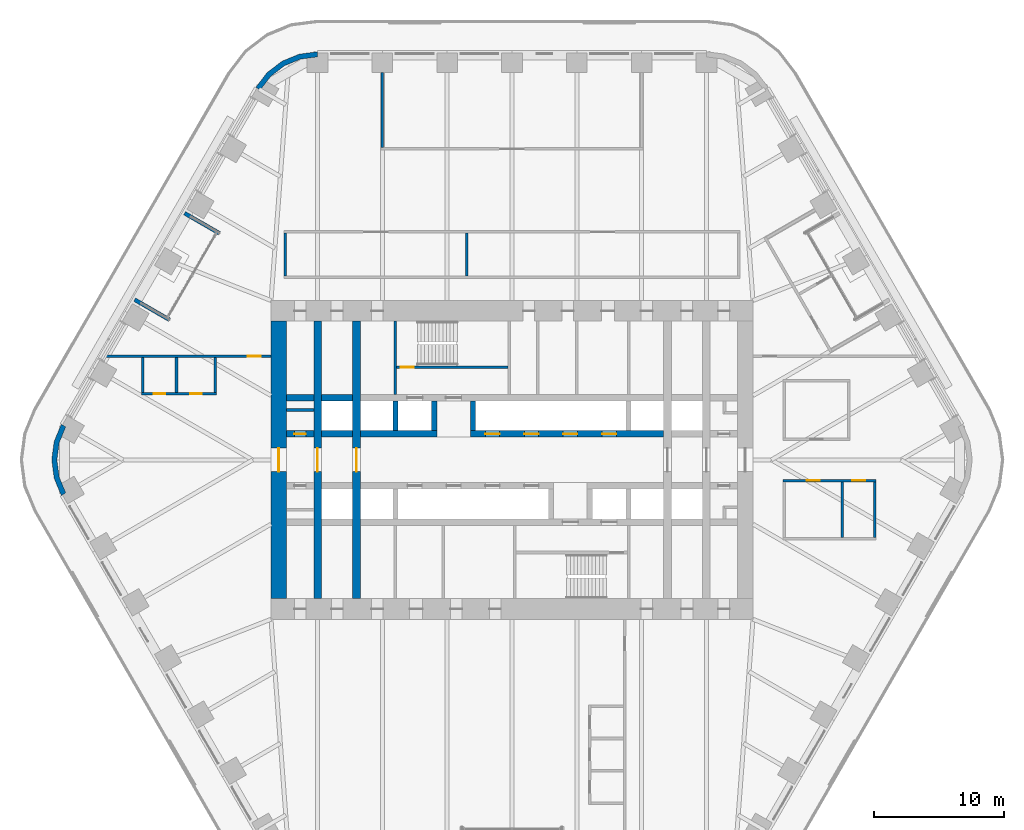
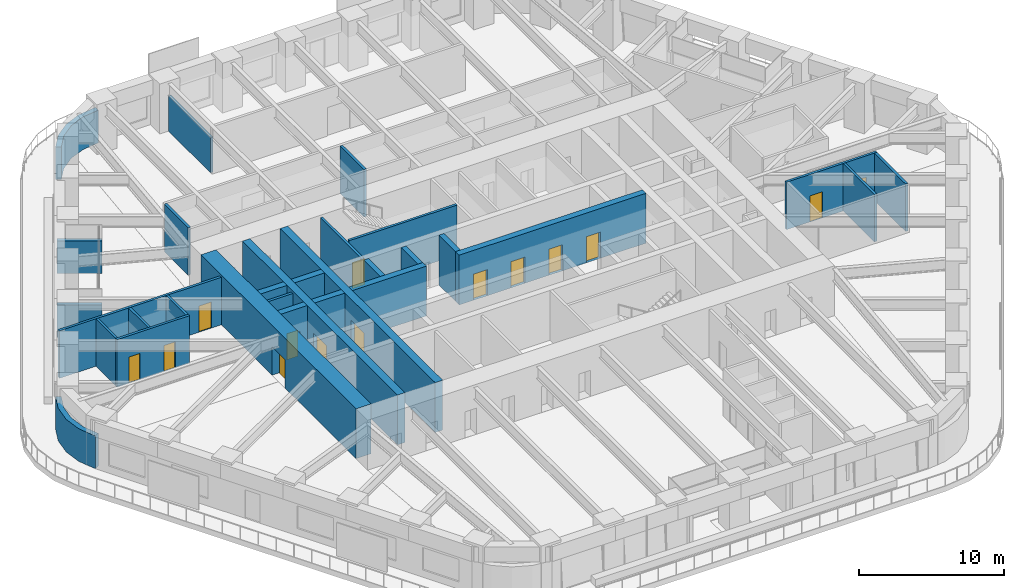
# One storey, part 19 of 24: 30 walls, 14 doors, 14 openings.
"""IFC4 building model written with IfcOpenShell, lengths in metres."""

from ifc_helpers import new_model, si_unit, direction, frame, frame_2d, origin, place, context, subcontext, project, spatial, polyline, rectangle, outline, extrude, material, layer, layer_set, type_object, element, fill, save


model = new_model("IFC4")

# Units and contexts
model_context = context("Model", 3, precision=1e-05, world=origin(), true_north=direction((0.0, 1.0)))
body_context = subcontext(model_context, "Body", "Model", "MODEL_VIEW")
ifc_project = project(units=[si_unit("LENGTHUNIT", "METRE"), si_unit("AREAUNIT", "SQUARE_METRE"), si_unit("VOLUMEUNIT", "CUBIC_METRE"), si_unit("PLANEANGLEUNIT", "RADIAN"), si_unit("MASSUNIT", "GRAM", prefix="KILO")], contexts=[model_context])

# Site, building, storey
site_placement = place(None, origin())
site = spatial("IfcSite", under=ifc_project, at=site_placement, CompositionType="ELEMENT")
building_placement = place(site_placement, origin())
building = spatial("IfcBuilding", under=site, at=building_placement, Name="Tarfa Lantern Tower", CompositionType="ELEMENT")
storey_placement = place(building_placement, frame((0.0, 0.0, 144.699951171875)))
storey = spatial("IfcBuildingStorey", under=building, at=storey_placement, Name="L32", CompositionType="ELEMENT", Elevation=144.699951171875)

# Walls
ifc_material_1 = material(Name="Limestone cladding on blockwork", Category="masonry")
ifc_layer_1 = layer(ifc_material_1, 0.300048828125)
ifc_layer_set_1 = layer_set([ifc_layer_1], Name="EW1 STONE-CLAD WALL 300")
wall_type_1 = type_object("IfcWallType", Name="EW1 STONE-CLAD WALL 300", PredefinedType="SOLIDWALL", material=ifc_layer_set_1)
wall_1_placement = place(storey_placement, frame((-25.266357421875, 19.037353515625, 0.0), z_axis=(0.0, 0.0, 1.0), x_axis=(0.86600983753, -0.500026960575, 0.0)))
element("IfcWall", 1, at=wall_1_placement, inside=storey, type_object=wall_type_1, Name="Loggia return NW 1", PredefinedType="SOLIDWALL", context=body_context, shape_type="SweptSolid", body=[
    extrude(rectangle(XDim=3.099853515625, YDim=0.300048828125, at=frame_2d((1.5498046875, 0.0))), origin(), (0.0, 0.0, 1.0), 2.75),
])
wall_2_placement = place(storey_placement, frame((-29.1201171875, 12.362548828125, 0.0), z_axis=(0.0, 0.0, 1.0), x_axis=(0.86602952684, -0.49999285859, 0.0)))
element("IfcWall", 2, at=wall_2_placement, inside=storey, type_object=wall_type_1, Name="Loggia return NW 2", PredefinedType="SOLIDWALL", context=body_context, shape_type="SweptSolid", body=[
    extrude(rectangle(XDim=3.10009765625, YDim=0.300048828125, at=frame_2d((1.550048828125, 0.0))), origin(), (0.0, 0.0, 1.0), 2.75),
])
ifc_layer_2 = layer(ifc_material_1, 0.39990234375)
ifc_layer_set_2 = layer_set([ifc_layer_2], Name="EW2 CURVED STONE CORNER 400")
wall_type_2 = type_object("IfcWallType", Name="EW2 CURVED STONE CORNER 400", PredefinedType="SOLIDWALL", material=ifc_layer_set_2)
wall_3_placement = place(storey_placement, origin())
element("IfcWall", 3, at=wall_3_placement, inside=storey, type_object=wall_type_2, Name="Stone corner N-NW", PredefinedType="SOLIDWALL", context=body_context, shape_type="SweptSolid", body=[
    extrude(outline(polyline([(-15.010986328125, 31.5), (-16.4345703125, 31.3125), (-17.760986328125, 30.76318359375), (-18.900146484375, 29.88916015625), (-19.774169921875, 28.75), (-19.427734375, 28.550048828125), (-18.617431640625, 29.606201171875), (-17.56103515625, 30.416748046875), (-16.3310546875, 30.92626953125), (-15.010986328125, 31.10009765625), (-15.010986328125, 31.5)])), origin(), (0.0, 0.0, 1.0), 2.75),
])
wall_4_placement = place(storey_placement, origin())
element("IfcWall", 4, at=wall_4_placement, inside=storey, type_object=wall_type_2, Name="Stone corner NW-SW", PredefinedType="SOLIDWALL", context=body_context, shape_type="SweptSolid", body=[
    extrude(outline(polyline([(-34.785400390625, 2.75), (-35.334716796875, 1.423583984375), (-35.522216796875, 0.0), (-35.334716796875, -1.423583984375), (-34.785400390625, -2.75), (-34.43896484375, -2.550048828125), (-34.948486328125, -1.320068359375), (-35.122314453125, 0.0), (-34.948486328125, 1.320068359375), (-34.43896484375, 2.550048828125), (-34.785400390625, 2.75)])), origin(), (0.0, 0.0, 1.0), 2.75),
])
ifc_material_2 = material(Name="Concrete blockwork", Category="masonry")
ifc_layer_3 = layer(ifc_material_2, 0.199951171875)
ifc_layer_set_3 = layer_set([ifc_layer_3], Name="IW1 BLOCKWORK PARTITION 200 EI 120")
wall_type_3 = type_object("IfcWallType", Name="IW1 BLOCKWORK PARTITION 200 EI 120", PredefinedType="PARTITIONING", material=ifc_layer_set_3)
wall_5_placement = place(storey_placement, frame((-9.0, 5.050048828125, 0.0), z_axis=(0.0, 0.0, 1.0), x_axis=(0.0, 1.0, 0.0)))
element("IfcWall", 5, at=wall_5_placement, inside=storey, type_object=wall_type_3, Name="Core partition", PredefinedType="PARTITIONING", context=body_context, shape_type="SweptSolid", body=[
    extrude(rectangle(XDim=5.64990234375, YDim=0.199951171875, at=frame_2d((2.824951171875, 0.0))), origin(), (0.0, 0.0, 1.0), 4.0),
])
wall_6_placement = place(storey_placement, frame((-17.39990234375, 3.85009765625, 0.0), z_axis=(0.0, 0.0, 1.0), x_axis=(1.0, 0.0, 0.0)))
element("IfcWall", 6, at=wall_6_placement, inside=storey, type_object=wall_type_3, Name="Core partition", PredefinedType="PARTITIONING", context=body_context, shape_type="SweptSolid", body=[
    extrude(rectangle(XDim=2.099853515625, YDim=0.199951171875, at=frame_2d((1.0498046875, 0.0))), origin(), (0.0, 0.0, 1.0), 4.0),
])
ifc_material_3 = material(Name="Gypsum board on steel studs", Category="steel")
ifc_layer_4 = layer(ifc_material_3, 0.2099609375)
ifc_layer_set_4 = layer_set([ifc_layer_4], Name="IW2 ACOUSTIC PARTITION 200")
wall_type_4 = type_object("IfcWallType", Name="IW2 ACOUSTIC PARTITION 200", PredefinedType="PARTITIONING", material=ifc_layer_set_4)
for number, where, z_axis, x_axis, name in (
    (7, (-17.5, 14.199951171875, 0.0), (0.0, 0.0, 1.0), (0.0, 1.0, 0.0), "Partition"),
    (8, (-3.5, 14.199951171875, 0.0), (0.0, 0.0, 1.0), (0.0, 1.0, 0.0), "Partition"),
):
    element("IfcWall", number, at=place(storey_placement, frame(where, z_axis=z_axis, x_axis=x_axis)), inside=storey, type_object=wall_type_4, Name=name, PredefinedType="PARTITIONING", context=body_context, shape_type="SweptSolid", body=[
        extrude(rectangle(XDim=3.300048828125, YDim=0.199951171875, at=frame_2d((1.64990234375, 0.0))), origin(), (0.0, 0.0, 1.0), 4.0),
    ])
wall_7_placement = place(storey_placement, frame((-10.00732421875, 24.10009765625, 0.0), z_axis=(0.0, 0.0, 1.0), x_axis=(0.0, 1.0, 0.0)))
element("IfcWall", 9, at=wall_7_placement, inside=storey, type_object=wall_type_4, Name="Partition", PredefinedType="PARTITIONING", context=body_context, shape_type="SweptSolid", body=[
    extrude(rectangle(XDim=5.7998046875, YDim=0.199951171875, at=frame_2d((2.89990234375, 0.0))), origin(), (0.0, 0.0, 1.0), 2.991943359375),
])

# Wall, openings, doors
wall_8_placement = place(storey_placement, frame((20.89990234375, -1.60009765625, 0.0), z_axis=(0.0, 0.0, 1.0), x_axis=(1.0, 0.0, 0.0)))
wall_8 = element("IfcWall", 10, at=wall_8_placement, inside=storey, type_object=wall_type_4, Name="Partition", PredefinedType="PARTITIONING", context=body_context, shape_type="SweptSolid", body=[
    extrude(rectangle(XDim=7.2001953125, YDim=0.199951171875, at=frame_2d((3.60009765625, 0.0))), origin(), (0.0, 0.0, 1.0), 4.0),
])
opening_1_placement = place(wall_8_placement, frame((1.85009765625, 0.0, 0.0)))
opening_1 = element("IfcOpeningElement", 11, at=opening_1_placement, cuts=wall_8, Name="Opening D34", PredefinedType="OPENING", context=body_context, shape_type="SweptSolid", body=[
    extrude(rectangle(XDim=1.0, YDim=2.199951171875, at=frame_2d((0.5, 1.10009765625))), frame((0.0, 0.10986328125, 0.0), z_axis=(0.0, -1.0, 0.0), x_axis=(1.0, 0.0, 0.0)), (0.0, 0.0, 1.0), 0.219970703125),
])
opening_2_placement = place(wall_8_placement, frame((5.35009765625, 0.0, 0.0)))
opening_2 = element("IfcOpeningElement", 12, at=opening_2_placement, cuts=wall_8, Name="Opening D35", PredefinedType="OPENING", context=body_context, shape_type="SweptSolid", body=[
    extrude(rectangle(XDim=1.0, YDim=2.199951171875, at=frame_2d((0.5, 1.10009765625))), frame((0.0, 0.10986328125, 0.0), z_axis=(0.0, -1.0, 0.0), x_axis=(1.0, 0.0, 0.0)), (0.0, 0.0, 1.0), 0.219970703125),
])
ifc_material_4 = material(Name="Timber door", Category="wood")
door_type_1 = type_object("IfcDoorType", Name="DR1 ROOM DOOR 1000x2200", OperationType="SINGLE_SWING_LEFT", PredefinedType="DOOR", material=ifc_material_4)
door_1_placement = place(opening_1_placement, frame((1.0, 0.0, 0.0), z_axis=(0.0, 0.0, 1.0), x_axis=(-1.0, 0.0, 0.0)))
door_1 = element("IfcDoor", 13, at=door_1_placement, inside=storey, type_object=door_type_1, Name="Pantry door", OperationType="SINGLE_SWING_LEFT", OverallHeight=2.199951171875, OverallWidth=1.0, PredefinedType="DOOR", context=body_context, shape_type="SweptSolid", body=[
    extrude(rectangle(XDim=1.0, YDim=2.199951171875, at=frame_2d((0.5, 1.10009765625))), frame((0.0, 0.02490234375, 0.0), z_axis=(0.0, -1.0, 0.0), x_axis=(1.0, 0.0, 0.0)), (0.0, 0.0, 1.0), 0.050048828125),
])
fill(opening_1, door_1)
door_2_placement = place(opening_2_placement, frame((1.0, 0.0, 0.0), z_axis=(0.0, 0.0, 1.0), x_axis=(-1.0, 0.0, 0.0)))
door_2 = element("IfcDoor", 14, at=door_2_placement, inside=storey, type_object=door_type_1, Name="Print room door", OperationType="SINGLE_SWING_RIGHT", OverallHeight=2.199951171875, OverallWidth=1.0, PredefinedType="DOOR", context=body_context, shape_type="SweptSolid", body=[
    extrude(rectangle(XDim=1.0, YDim=2.199951171875, at=frame_2d((0.5, 1.10009765625))), frame((0.0, 0.02490234375, 0.0), z_axis=(0.0, -1.0, 0.0), x_axis=(1.0, 0.0, 0.0)), (0.0, 0.0, 1.0), 0.050048828125),
])
fill(opening_2, door_2)

# Walls
for number, where, z_axis, x_axis, name in (
    (15, (25.5, -1.699951171875, 0.0), (0.0, 0.0, 1.0), (0.0, -1.0, 0.0), "Partition"),
    (16, (28.0, -1.699951171875, 0.0), (0.0, 0.0, 1.0), (0.0, -1.0, 0.0), "Partition"),
):
    element("IfcWall", number, at=place(storey_placement, frame(where, z_axis=z_axis, x_axis=x_axis)), inside=storey, type_object=wall_type_4, Name=name, PredefinedType="PARTITIONING", context=body_context, shape_type="SweptSolid", body=[
        extrude(rectangle(XDim=4.300048828125, YDim=0.199951171875, at=frame_2d((2.14990234375, 0.0))), origin(), (0.0, 0.0, 1.0), 4.0),
    ])

# Wall, opening, door
wall_9_placement = place(storey_placement, frame((-18.60009765625, 8.0, 0.0), z_axis=(0.0, 0.0, 1.0), x_axis=(-1.0, 0.0, 0.0)))
wall_9 = element("IfcWall", 17, at=wall_9_placement, inside=storey, type_object=wall_type_4, Name="Partition", PredefinedType="PARTITIONING", context=body_context, shape_type="SweptSolid", body=[
    extrude(rectangle(XDim=12.89990234375, YDim=0.199951171875, at=frame_2d((6.449951171875, 0.0))), origin(), (0.0, 0.0, 1.0), 4.0),
])
opening_3_placement = place(wall_9_placement, frame((0.7900390625, 0.0, 0.0)))
opening_3 = element("IfcOpeningElement", 18, at=opening_3_placement, cuts=wall_9, Name="Opening D48", PredefinedType="OPENING", context=body_context, shape_type="SweptSolid", body=[
    extrude(rectangle(XDim=1.0, YDim=2.199951171875, at=frame_2d((0.5, 1.10009765625))), frame((0.0, 0.10986328125, 0.0), z_axis=(0.0, -1.0, 0.0), x_axis=(1.0, 0.0, 0.0)), (0.0, 0.0, 1.0), 0.219970703125),
])
door_3_placement = place(opening_3_placement, frame((1.0, 0.0, 0.0), z_axis=(0.0, 0.0, 1.0), x_axis=(-1.0, 0.0, 0.0)))
door_3 = element("IfcDoor", 19, at=door_3_placement, inside=storey, type_object=door_type_1, Name="Zone door", OperationType="SINGLE_SWING_LEFT", OverallHeight=2.199951171875, OverallWidth=1.0, PredefinedType="DOOR", context=body_context, shape_type="SweptSolid", body=[
    extrude(rectangle(XDim=1.0, YDim=2.199951171875, at=frame_2d((0.5, 1.10009765625))), frame((0.0, 0.02490234375, 0.0), z_axis=(0.0, -1.0, 0.0), x_axis=(1.0, 0.0, 0.0)), (0.0, 0.0, 1.0), 0.050048828125),
])
fill(opening_3, door_3)

# Wall, openings, doors
wall_10_placement = place(storey_placement, frame((-22.795166015625, 5.10009765625, 0.0), z_axis=(0.0, 0.0, 1.0), x_axis=(-1.0, 0.0, 0.0)))
wall_10 = element("IfcWall", 20, at=wall_10_placement, inside=storey, type_object=wall_type_4, Name="Partition", PredefinedType="PARTITIONING", context=body_context, shape_type="SweptSolid", body=[
    extrude(rectangle(XDim=5.7998046875, YDim=0.199951171875, at=frame_2d((2.89990234375, 0.0))), origin(), (0.0, 0.0, 1.0), 4.0),
])
opening_4_placement = place(wall_10_placement, frame((1.14990234375, 0.0, 0.0)))
opening_4 = element("IfcOpeningElement", 21, at=opening_4_placement, cuts=wall_10, Name="Opening D41", PredefinedType="OPENING", context=body_context, shape_type="SweptSolid", body=[
    extrude(rectangle(XDim=0.89990234375, YDim=2.199951171875, at=frame_2d((0.449951171875, 1.10009765625))), frame((0.0, 0.10986328125, 0.0), z_axis=(0.0, -1.0, 0.0), x_axis=(1.0, 0.0, 0.0)), (0.0, 0.0, 1.0), 0.219970703125),
])
opening_5_placement = place(wall_10_placement, frame((3.949951171875, 0.0, 0.0)))
opening_5 = element("IfcOpeningElement", 22, at=opening_5_placement, cuts=wall_10, Name="Opening D42", PredefinedType="OPENING", context=body_context, shape_type="SweptSolid", body=[
    extrude(rectangle(XDim=0.89990234375, YDim=2.199951171875, at=frame_2d((0.449951171875, 1.10009765625))), frame((0.0, 0.10986328125, 0.0), z_axis=(0.0, -1.0, 0.0), x_axis=(1.0, 0.0, 0.0)), (0.0, 0.0, 1.0), 0.219970703125),
])
door_type_2 = type_object("IfcDoorType", Name="DR3 ROOM DOOR 900x2200", OperationType="SINGLE_SWING_LEFT", PredefinedType="DOOR", material=ifc_material_4)
door_4_placement = place(opening_4_placement, frame((0.89990234375, 0.0, 0.0), z_axis=(0.0, 0.0, 1.0), x_axis=(-1.0, 0.0, 0.0)))
door_4 = element("IfcDoor", 23, at=door_4_placement, inside=storey, type_object=door_type_2, Name="Wellness room door", OperationType="SINGLE_SWING_LEFT", OverallHeight=2.199951171875, OverallWidth=0.89990234375, PredefinedType="DOOR", context=body_context, shape_type="SweptSolid", body=[
    extrude(rectangle(XDim=0.89990234375, YDim=2.199951171875, at=frame_2d((0.449951171875, 1.10009765625))), frame((0.0, 0.02490234375, 0.0), z_axis=(0.0, -1.0, 0.0), x_axis=(1.0, 0.0, 0.0)), (0.0, 0.0, 1.0), 0.050048828125),
])
fill(opening_4, door_4)
door_5_placement = place(opening_5_placement, frame((0.89990234375, 0.0, 0.0), z_axis=(0.0, 0.0, 1.0), x_axis=(-1.0, 0.0, 0.0)))
door_5 = element("IfcDoor", 24, at=door_5_placement, inside=storey, type_object=door_type_2, Name="Quiet room door", OperationType="SINGLE_SWING_RIGHT", OverallHeight=2.199951171875, OverallWidth=0.89990234375, PredefinedType="DOOR", context=body_context, shape_type="SweptSolid", body=[
    extrude(rectangle(XDim=0.89990234375, YDim=2.199951171875, at=frame_2d((0.449951171875, 1.10009765625))), frame((0.0, 0.02490234375, 0.0), z_axis=(0.0, -1.0, 0.0), x_axis=(1.0, 0.0, 0.0)), (0.0, 0.0, 1.0), 0.050048828125),
])
fill(opening_5, door_5)

# Walls
for number, where, z_axis, x_axis, name in (
    (25, (-22.89501953125, 7.89990234375, 0.0), (0.0, 0.0, 1.0), (0.0, -1.0, 0.0), "Partition"),
    (26, (-25.89501953125, 7.89990234375, 0.0), (0.0, 0.0, 1.0), (0.0, -1.0, 0.0), "Partition"),
    (27, (-28.4951171875, 7.89990234375, 0.0), (0.0, 0.0, 1.0), (0.0, -1.0, 0.0), "Partition"),
):
    element("IfcWall", number, at=place(storey_placement, frame(where, z_axis=z_axis, x_axis=x_axis)), inside=storey, type_object=wall_type_4, Name=name, PredefinedType="PARTITIONING", context=body_context, shape_type="SweptSolid", body=[
        extrude(rectangle(XDim=2.699951171875, YDim=0.199951171875, at=frame_2d((1.35009765625, 0.0))), origin(), (0.0, 0.0, 1.0), 4.0),
    ])

# Wall, opening, door
ifc_material_5 = material(Name="Concrete C80/95", Category="concrete")
ifc_layer_5 = layer(ifc_material_5, 1.199951171875)
ifc_layer_set_5 = layer_set([ifc_layer_5], Name="SW1 CORE WALL 1200")
wall_type_5 = type_object("IfcWallType", Name="SW1 CORE WALL 1200", PredefinedType="SHEAR", material=ifc_layer_set_5)
wall_11_placement = place(storey_placement, frame((-18.0, 10.699951171875, 0.0), z_axis=(0.0, 0.0, 1.0), x_axis=(0.0, -1.0, 0.0)))
wall_11 = element("IfcWall", 28, at=wall_11_placement, inside=storey, type_object=wall_type_5, Name="Core wall W", PredefinedType="SHEAR", context=body_context, shape_type="SweptSolid", body=[
    extrude(rectangle(XDim=21.39990234375, YDim=1.199951171875, at=frame_2d((10.699951171875, 0.0))), origin(), (0.0, 0.0, 1.0), 4.199951171875),
])
opening_6_placement = place(wall_11_placement, frame((9.800048828125, 0.0, 0.0)))
opening_6 = element("IfcOpeningElement", 29, at=opening_6_placement, cuts=wall_11, Name="Opening D16", PredefinedType="OPENING", context=body_context, shape_type="SweptSolid", body=[
    extrude(rectangle(XDim=1.800048828125, YDim=2.39990234375, at=frame_2d((0.89990234375, 1.199951171875))), frame((0.0, 0.60986328125, 0.0), z_axis=(0.0, -1.0, 0.0), x_axis=(1.0, 0.0, 0.0)), (0.0, 0.0, 1.0), 1.219970703125),
])
ifc_material_6 = material(Name="Steel fire door", Category="steel")
door_type_3 = type_object("IfcDoorType", Name="DL1 LOBBY DOOR 1800x2400", OperationType="DOUBLE_DOOR_SINGLE_SWING", PredefinedType="DOOR", material=ifc_material_6)
door_6_placement = place(opening_6_placement, frame((1.800048828125, 0.0, 0.0), z_axis=(0.0, 0.0, 1.0), x_axis=(-1.0, 0.0, 0.0)))
door_6 = element("IfcDoor", 30, at=door_6_placement, inside=storey, type_object=door_type_3, Name="Lift lobby door", OperationType="DOUBLE_DOOR_SINGLE_SWING", OverallHeight=2.39990234375, OverallWidth=1.800048828125, PredefinedType="DOOR", context=body_context, shape_type="SweptSolid", body=[
    extrude(rectangle(XDim=1.800048828125, YDim=2.39990234375, at=frame_2d((0.89990234375, 1.199951171875))), frame((0.0, 0.02490234375, 0.0), z_axis=(0.0, -1.0, 0.0), x_axis=(1.0, 0.0, 0.0)), (0.0, 0.0, 1.0), 0.050048828125),
])
fill(opening_6, door_6)

ifc_layer_6 = layer(ifc_material_5, 0.199951171875)
ifc_layer_set_6 = layer_set([ifc_layer_6], Name="SW12 CORE WALL 200")
wall_type_6 = type_object("IfcWallType", Name="SW12 CORE WALL 200", PredefinedType="SHEAR", material=ifc_layer_set_6)
wall_12_placement = place(storey_placement, frame((-8.89990234375, 7.14990234375, 0.0), z_axis=(0.0, 0.0, 1.0), x_axis=(1.0, 0.0, 0.0)))
wall_12 = element("IfcWall", 31, at=wall_12_placement, inside=storey, type_object=wall_type_6, Name="Core wall stair partition N", PredefinedType="SHEAR", context=body_context, shape_type="SweptSolid", body=[
    extrude(rectangle(XDim=8.599853515625, YDim=0.199951171875, at=frame_2d((4.2998046875, 0.0))), origin(), (0.0, 0.0, 1.0), 4.199951171875),
])
opening_7_placement = place(wall_12_placement, frame((0.300048828125, 0.0, 0.0)))
opening_7 = element("IfcOpeningElement", 32, at=opening_7_placement, cuts=wall_12, Name="Opening D27", PredefinedType="OPENING", context=body_context, shape_type="SweptSolid", body=[
    extrude(rectangle(XDim=1.0, YDim=2.199951171875, at=frame_2d((0.5, 1.10009765625))), frame((0.0, 0.10986328125, 0.0), z_axis=(0.0, -1.0, 0.0), x_axis=(1.0, 0.0, 0.0)), (0.0, 0.0, 1.0), 0.219970703125),
])
door_type_4 = type_object("IfcDoorType", Name="DF2 STAIR DOOR 1000x2200", OperationType="SINGLE_SWING_LEFT", PredefinedType="DOOR", material=ifc_material_6)
door_7_placement = place(opening_7_placement, origin())
door_7 = element("IfcDoor", 33, at=door_7_placement, inside=storey, type_object=door_type_4, Name="Stair door", OperationType="SINGLE_SWING_RIGHT", OverallHeight=2.199951171875, OverallWidth=1.0, PredefinedType="DOOR", context=body_context, shape_type="SweptSolid", body=[
    extrude(rectangle(XDim=1.0, YDim=2.199951171875, at=frame_2d((0.5, 1.10009765625))), frame((0.0, 0.02490234375, 0.0), z_axis=(0.0, -1.0, 0.0), x_axis=(1.0, 0.0, 0.0)), (0.0, 0.0, 1.0), 0.050048828125),
])
fill(opening_7, door_7)

ifc_layer_7 = layer(ifc_material_5, 0.5)
ifc_layer_set_7 = layer_set([ifc_layer_7], Name="SW5 CORE WALL 500")
wall_type_7 = type_object("IfcWallType", Name="SW5 CORE WALL 500", PredefinedType="SHEAR", material=ifc_layer_set_7)
wall_13_placement = place(storey_placement, frame((-17.39990234375, 2.0, 0.0), z_axis=(0.0, 0.0, 1.0), x_axis=(1.0, 0.0, 0.0)))
wall_13 = element("IfcWall", 34, at=wall_13_placement, inside=storey, type_object=wall_type_7, Name="Core wall lobby west N", PredefinedType="SHEAR", context=body_context, shape_type="SweptSolid", body=[
    extrude(rectangle(XDim=2.099853515625, YDim=0.5, at=frame_2d((1.0498046875, 0.0))), origin(), (0.0, 0.0, 1.0), 4.199951171875),
])
opening_8_placement = place(wall_13_placement, frame((0.60009765625, 0.0, 0.0)))
opening_8 = element("IfcOpeningElement", 35, at=opening_8_placement, cuts=wall_13, Name="Opening D19", PredefinedType="OPENING", context=body_context, shape_type="SweptSolid", body=[
    extrude(rectangle(XDim=0.89990234375, YDim=2.199951171875, at=frame_2d((0.449951171875, 1.10009765625))), frame((0.0, 0.260009765625, 0.0), z_axis=(0.0, -1.0, 0.0), x_axis=(1.0, 0.0, 0.0)), (0.0, 0.0, 1.0), 0.52001953125),
])
door_type_5 = type_object("IfcDoorType", Name="DF6 SERVICE ROOM DOOR 900x2200", OperationType="SINGLE_SWING_LEFT", PredefinedType="DOOR", material=ifc_material_6)
door_8_placement = place(opening_8_placement, origin())
door_8 = element("IfcDoor", 36, at=door_8_placement, inside=storey, type_object=door_type_5, Name="Service room door", OperationType="SINGLE_SWING_LEFT", OverallHeight=2.199951171875, OverallWidth=0.89990234375, PredefinedType="DOOR", context=body_context, shape_type="SweptSolid", body=[
    extrude(rectangle(XDim=0.89990234375, YDim=2.199951171875, at=frame_2d((0.449951171875, 1.10009765625))), frame((0.0, 0.02490234375, 0.0), z_axis=(0.0, -1.0, 0.0), x_axis=(1.0, 0.0, 0.0)), (0.0, 0.0, 1.0), 0.050048828125),
])
fill(opening_8, door_8)

# Walls
wall_14_placement = place(storey_placement, frame((-14.699951171875, 2.0, 0.0), z_axis=(0.0, 0.0, 1.0), x_axis=(1.0, 0.0, 0.0)))
element("IfcWall", 37, at=wall_14_placement, inside=storey, type_object=wall_type_7, Name="Core wall lobby west N", PredefinedType="SHEAR", context=body_context, shape_type="SweptSolid", body=[
    extrude(rectangle(XDim=2.39990234375, YDim=0.5, at=frame_2d((1.199951171875, 0.0))), origin(), (0.0, 0.0, 1.0), 4.199951171875),
])
wall_15_placement = place(storey_placement, frame((-11.699951171875, 2.0, 0.0), z_axis=(0.0, 0.0, 1.0), x_axis=(1.0, 0.0, 0.0)))
element("IfcWall", 38, at=wall_15_placement, inside=storey, type_object=wall_type_7, Name="Core wall lobby west N", PredefinedType="SHEAR", context=body_context, shape_type="SweptSolid", body=[
    extrude(rectangle(XDim=5.89990234375, YDim=0.5, at=frame_2d((2.949951171875, 0.0))), origin(), (0.0, 0.0, 1.0), 4.199951171875),
])

# Wall, openings, doors
wall_16_placement = place(storey_placement, frame((-3.199951171875, 2.0, 0.0), z_axis=(0.0, 0.0, 1.0), x_axis=(1.0, 0.0, 0.0)))
wall_16 = element("IfcWall", 39, at=wall_16_placement, inside=storey, type_object=wall_type_7, Name="Core wall lobby east N", PredefinedType="SHEAR", context=body_context, shape_type="SweptSolid", body=[
    extrude(rectangle(XDim=14.89990234375, YDim=0.5, at=frame_2d((7.449951171875, 0.0))), origin(), (0.0, 0.0, 1.0), 4.199951171875),
])
opening_9_placement = place(wall_16_placement, frame((1.14990234375, 0.0, 0.0)))
opening_9 = element("IfcOpeningElement", 40, at=opening_9_placement, cuts=wall_16, Name="Opening LD03", PredefinedType="OPENING", context=body_context, shape_type="SweptSolid", body=[
    extrude(rectangle(XDim=1.10009765625, YDim=2.199951171875, at=frame_2d((0.550048828125, 1.10009765625))), frame((0.0, 0.260009765625, 0.0), z_axis=(0.0, -1.0, 0.0), x_axis=(1.0, 0.0, 0.0)), (0.0, 0.0, 1.0), 0.52001953125),
])
opening_10_placement = place(wall_16_placement, frame((4.14990234375, 0.0, 0.0)))
opening_10 = element("IfcOpeningElement", 41, at=opening_10_placement, cuts=wall_16, Name="Opening LD04", PredefinedType="OPENING", context=body_context, shape_type="SweptSolid", body=[
    extrude(rectangle(XDim=1.10009765625, YDim=2.199951171875, at=frame_2d((0.550048828125, 1.10009765625))), frame((0.0, 0.260009765625, 0.0), z_axis=(0.0, -1.0, 0.0), x_axis=(1.0, 0.0, 0.0)), (0.0, 0.0, 1.0), 0.52001953125),
])
opening_11_placement = place(wall_16_placement, frame((7.14990234375, 0.0, 0.0)))
opening_11 = element("IfcOpeningElement", 42, at=opening_11_placement, cuts=wall_16, Name="Opening LD05", PredefinedType="OPENING", context=body_context, shape_type="SweptSolid", body=[
    extrude(rectangle(XDim=1.10009765625, YDim=2.199951171875, at=frame_2d((0.550048828125, 1.10009765625))), frame((0.0, 0.260009765625, 0.0), z_axis=(0.0, -1.0, 0.0), x_axis=(1.0, 0.0, 0.0)), (0.0, 0.0, 1.0), 0.52001953125),
])
opening_12_placement = place(wall_16_placement, frame((10.14990234375, 0.0, 0.0)))
opening_12 = element("IfcOpeningElement", 43, at=opening_12_placement, cuts=wall_16, Name="Opening LD06", PredefinedType="OPENING", context=body_context, shape_type="SweptSolid", body=[
    extrude(rectangle(XDim=1.10009765625, YDim=2.199951171875, at=frame_2d((0.550048828125, 1.10009765625))), frame((0.0, 0.260009765625, 0.0), z_axis=(0.0, -1.0, 0.0), x_axis=(1.0, 0.0, 0.0)), (0.0, 0.0, 1.0), 0.52001953125),
])
ifc_material_7 = material(Name="Stainless steel lift door", Category="steel")
door_type_6 = type_object("IfcDoorType", Name="LD2 LIFT LANDING DOOR 1100x2200", OperationType="SLIDING_TO_LEFT", PredefinedType="DOOR", material=ifc_material_7)
door_9_placement = place(opening_9_placement, frame((1.10009765625, 0.0, 0.0), z_axis=(0.0, 0.0, 1.0), x_axis=(-1.0, 0.0, 0.0)))
door_9 = element("IfcDoor", 44, at=door_9_placement, inside=storey, type_object=door_type_6, Name="Landing door PB1", OperationType="SLIDING_TO_LEFT", OverallHeight=2.199951171875, OverallWidth=1.10009765625, PredefinedType="DOOR", context=body_context, shape_type="SweptSolid", body=[
    extrude(rectangle(XDim=1.10009765625, YDim=2.199951171875, at=frame_2d((0.550048828125, 1.10009765625))), frame((0.0, 0.02490234375, 0.0), z_axis=(0.0, -1.0, 0.0), x_axis=(1.0, 0.0, 0.0)), (0.0, 0.0, 1.0), 0.050048828125),
])
fill(opening_9, door_9)
door_10_placement = place(opening_10_placement, frame((1.10009765625, 0.0, 0.0), z_axis=(0.0, 0.0, 1.0), x_axis=(-1.0, 0.0, 0.0)))
door_10 = element("IfcDoor", 45, at=door_10_placement, inside=storey, type_object=door_type_6, Name="Landing door PB2", OperationType="SLIDING_TO_LEFT", OverallHeight=2.199951171875, OverallWidth=1.10009765625, PredefinedType="DOOR", context=body_context, shape_type="SweptSolid", body=[
    extrude(rectangle(XDim=1.10009765625, YDim=2.199951171875, at=frame_2d((0.550048828125, 1.10009765625))), frame((0.0, 0.02490234375, 0.0), z_axis=(0.0, -1.0, 0.0), x_axis=(1.0, 0.0, 0.0)), (0.0, 0.0, 1.0), 0.050048828125),
])
fill(opening_10, door_10)
door_11_placement = place(opening_11_placement, frame((1.10009765625, 0.0, 0.0), z_axis=(0.0, 0.0, 1.0), x_axis=(-1.0, 0.0, 0.0)))
door_11 = element("IfcDoor", 46, at=door_11_placement, inside=storey, type_object=door_type_6, Name="Landing door PB3", OperationType="SLIDING_TO_LEFT", OverallHeight=2.199951171875, OverallWidth=1.10009765625, PredefinedType="DOOR", context=body_context, shape_type="SweptSolid", body=[
    extrude(rectangle(XDim=1.10009765625, YDim=2.199951171875, at=frame_2d((0.550048828125, 1.10009765625))), frame((0.0, 0.02490234375, 0.0), z_axis=(0.0, -1.0, 0.0), x_axis=(1.0, 0.0, 0.0)), (0.0, 0.0, 1.0), 0.050048828125),
])
fill(opening_11, door_11)
door_12_placement = place(opening_12_placement, frame((1.10009765625, 0.0, 0.0), z_axis=(0.0, 0.0, 1.0), x_axis=(-1.0, 0.0, 0.0)))
door_12 = element("IfcDoor", 47, at=door_12_placement, inside=storey, type_object=door_type_6, Name="Landing door PB4", OperationType="SLIDING_TO_LEFT", OverallHeight=2.199951171875, OverallWidth=1.10009765625, PredefinedType="DOOR", context=body_context, shape_type="SweptSolid", body=[
    extrude(rectangle(XDim=1.10009765625, YDim=2.199951171875, at=frame_2d((0.550048828125, 1.10009765625))), frame((0.0, 0.02490234375, 0.0), z_axis=(0.0, -1.0, 0.0), x_axis=(1.0, 0.0, 0.0)), (0.0, 0.0, 1.0), 0.050048828125),
])
fill(opening_12, door_12)

# Walls
wall_17_placement = place(storey_placement, frame((-17.39990234375, 4.800048828125, 0.0), z_axis=(0.0, 0.0, 1.0), x_axis=(1.0, 0.0, 0.0)))
element("IfcWall", 48, at=wall_17_placement, inside=storey, type_object=wall_type_7, Name="Core wall rear N", PredefinedType="SHEAR", context=body_context, shape_type="SweptSolid", body=[
    extrude(rectangle(XDim=2.099853515625, YDim=0.5, at=frame_2d((1.0498046875, 0.0))), origin(), (0.0, 0.0, 1.0), 4.199951171875),
])
wall_18_placement = place(storey_placement, frame((-14.699951171875, 4.800048828125, 0.0), z_axis=(0.0, 0.0, 1.0), x_axis=(1.0, 0.0, 0.0)))
element("IfcWall", 49, at=wall_18_placement, inside=storey, type_object=wall_type_7, Name="Core wall rear N", PredefinedType="SHEAR", context=body_context, shape_type="SweptSolid", body=[
    extrude(rectangle(XDim=2.39990234375, YDim=0.5, at=frame_2d((1.199951171875, 0.0))), origin(), (0.0, 0.0, 1.0), 4.199951171875),
])
ifc_layer_8 = layer(ifc_material_5, 0.39990234375)
ifc_layer_set_8 = layer_set([ifc_layer_8], Name="SW6 CORE WALL 400")
wall_type_8 = type_object("IfcWallType", Name="SW6 CORE WALL 400", PredefinedType="SHEAR", material=ifc_layer_set_8)
for number, where, z_axis, x_axis, name in (
    (50, (-9.0, 2.25, 0.0), (0.0, 0.0, 1.0), (0.0, 1.0, 0.0), "Core wall divider N"),
    (51, (-6.0, 2.25, 0.0), (0.0, 0.0, 1.0), (0.0, 1.0, 0.0), "Core wall divider N"),
    (52, (-3.0, 2.25, 0.0), (0.0, 0.0, 1.0), (0.0, 1.0, 0.0), "Core wall divider N"),
):
    element("IfcWall", number, at=place(storey_placement, frame(where, z_axis=z_axis, x_axis=x_axis)), inside=storey, type_object=wall_type_8, Name=name, PredefinedType="SHEAR", context=body_context, shape_type="SweptSolid", body=[
        extrude(rectangle(XDim=2.300048828125, YDim=0.39990234375, at=frame_2d((1.14990234375, 0.0))), origin(), (0.0, 0.0, 1.0), 4.199951171875),
    ])

# Wall, opening, door
ifc_layer_9 = layer(ifc_material_5, 0.60009765625)
ifc_layer_set_9 = layer_set([ifc_layer_9], Name="SW9 CORE WALL 600")
wall_type_9 = type_object("IfcWallType", Name="SW9 CORE WALL 600", PredefinedType="SHEAR", material=ifc_layer_set_9)
wall_19_placement = place(storey_placement, frame((-12.0, -10.699951171875, 0.0), z_axis=(0.0, 0.0, 1.0), x_axis=(0.0, 1.0, 0.0)))
wall_19 = element("IfcWall", 53, at=wall_19_placement, inside=storey, type_object=wall_type_9, Name="Core wall cross 12 m west", PredefinedType="SHEAR", context=body_context, shape_type="SweptSolid", body=[
    extrude(rectangle(XDim=21.39990234375, YDim=0.60009765625, at=frame_2d((10.699951171875, 0.0))), origin(), (0.0, 0.0, 1.0), 4.199951171875),
])
opening_13_placement = place(wall_19_placement, frame((9.800048828125, 0.0, 0.0)))
opening_13 = element("IfcOpeningElement", 54, at=opening_13_placement, cuts=wall_19, Name="Opening D31", PredefinedType="OPENING", context=body_context, shape_type="SweptSolid", body=[
    extrude(rectangle(XDim=1.800048828125, YDim=2.39990234375, at=frame_2d((0.89990234375, 1.199951171875))), frame((0.0, 0.31005859375, 0.0), z_axis=(0.0, -1.0, 0.0), x_axis=(1.0, 0.0, 0.0)), (0.0, 0.0, 1.0), 0.6201171875),
])
door_13_placement = place(opening_13_placement, origin())
door_13 = element("IfcDoor", 55, at=door_13_placement, inside=storey, type_object=door_type_3, Name="Lift lobby door", OperationType="DOUBLE_DOOR_SINGLE_SWING", OverallHeight=2.39990234375, OverallWidth=1.800048828125, PredefinedType="DOOR", context=body_context, shape_type="SweptSolid", body=[
    extrude(rectangle(XDim=1.800048828125, YDim=2.39990234375, at=frame_2d((0.89990234375, 1.199951171875))), frame((0.0, 0.02490234375, 0.0), z_axis=(0.0, -1.0, 0.0), x_axis=(1.0, 0.0, 0.0)), (0.0, 0.0, 1.0), 0.050048828125),
])
fill(opening_13, door_13)

wall_20_placement = place(storey_placement, frame((-15.0, -10.699951171875, 0.0), z_axis=(0.0, 0.0, 1.0), x_axis=(0.0, 1.0, 0.0)))
wall_20 = element("IfcWall", 56, at=wall_20_placement, inside=storey, type_object=wall_type_9, Name="Core wall cross 15 m west", PredefinedType="SHEAR", context=body_context, shape_type="SweptSolid", body=[
    extrude(rectangle(XDim=21.39990234375, YDim=0.60009765625, at=frame_2d((10.699951171875, 0.0))), origin(), (0.0, 0.0, 1.0), 4.199951171875),
])
opening_14_placement = place(wall_20_placement, frame((9.800048828125, 0.0, 0.0)))
opening_14 = element("IfcOpeningElement", 57, at=opening_14_placement, cuts=wall_20, Name="Opening D32", PredefinedType="OPENING", context=body_context, shape_type="SweptSolid", body=[
    extrude(rectangle(XDim=1.800048828125, YDim=2.39990234375, at=frame_2d((0.89990234375, 1.199951171875))), frame((0.0, 0.31005859375, 0.0), z_axis=(0.0, -1.0, 0.0), x_axis=(1.0, 0.0, 0.0)), (0.0, 0.0, 1.0), 0.6201171875),
])
door_14_placement = place(opening_14_placement, origin())
door_14 = element("IfcDoor", 58, at=door_14_placement, inside=storey, type_object=door_type_3, Name="Lift lobby door", OperationType="DOUBLE_DOOR_SINGLE_SWING", OverallHeight=2.39990234375, OverallWidth=1.800048828125, PredefinedType="DOOR", context=body_context, shape_type="SweptSolid", body=[
    extrude(rectangle(XDim=1.800048828125, YDim=2.39990234375, at=frame_2d((0.89990234375, 1.199951171875))), frame((0.0, 0.02490234375, 0.0), z_axis=(0.0, -1.0, 0.0), x_axis=(1.0, 0.0, 0.0)), (0.0, 0.0, 1.0), 0.050048828125),
])
fill(opening_14, door_14)

save(model, "model.ifc")
